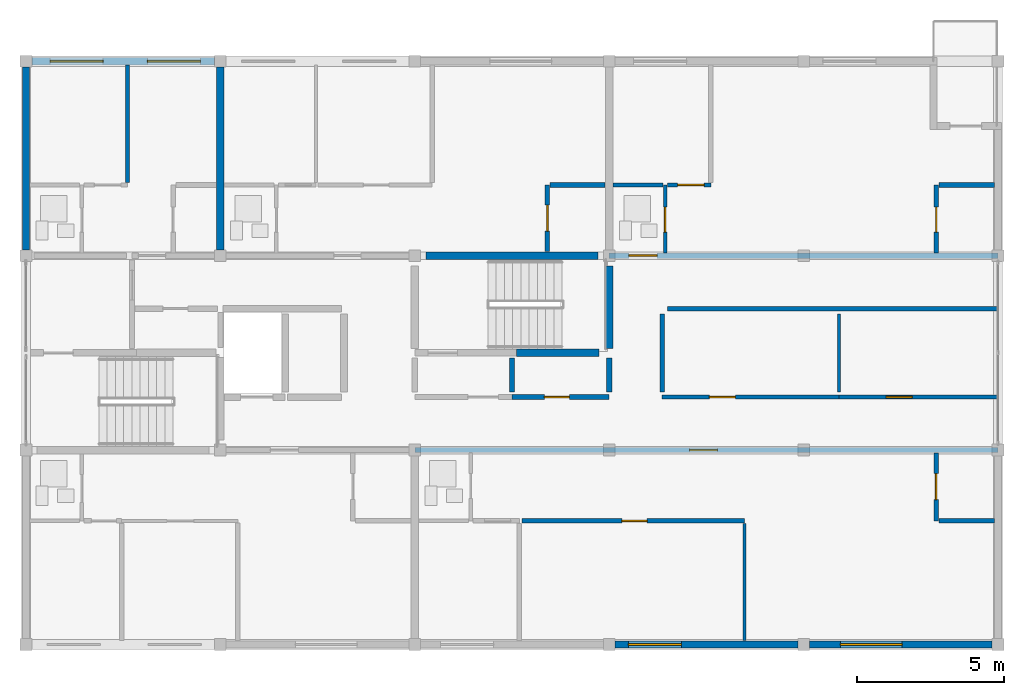
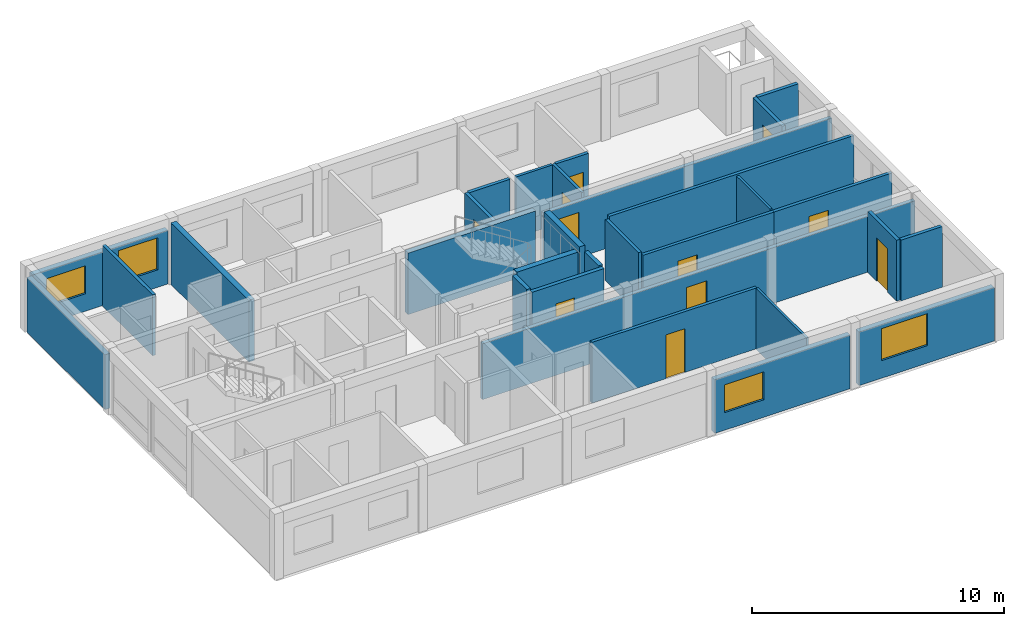
# One storey, part 9 of 12: 30 walls, 11 doors, 4 windows, 15 openings.
"""IFC4 building model written with IfcOpenShell, lengths in metres."""

from ifc_helpers import new_model, si_unit, direction, frame, frame_2d, origin, place, context, subcontext, project, spatial, rectangle, extrude, material, layer, layer_set, type_object, element, fill, save


model = new_model("IFC4")

# Units and contexts
model_context = context("Model", 3, precision=1e-05, world=origin(), true_north=direction((0.0, 1.0)))
body_context = subcontext(model_context, "Body", "Model", "MODEL_VIEW")
ifc_project = project(units=[si_unit("LENGTHUNIT", "METRE"), si_unit("AREAUNIT", "SQUARE_METRE"), si_unit("VOLUMEUNIT", "CUBIC_METRE"), si_unit("PLANEANGLEUNIT", "RADIAN"), si_unit("MASSUNIT", "GRAM", prefix="KILO")], contexts=[model_context])

# Site, building, storey
site_placement = place(None, origin())
site = spatial("IfcSite", under=ifc_project, at=site_placement, CompositionType="ELEMENT")
building_placement = place(site_placement, origin())
building = spatial("IfcBuilding", under=site, at=building_placement, Name="Kernevlak Ridge Housing Community", CompositionType="ELEMENT")
storey_placement = place(building_placement, frame((0.0, 0.0, 53.199951171875)))
storey = spatial("IfcBuildingStorey", under=building, at=storey_placement, Name="L16", CompositionType="ELEMENT", Elevation=53.199951171875)

# Wall, opening, window
ifc_material_1 = material(Name="Concrete block masonry M10", Category="masonry")
ifc_layer_1 = layer(ifc_material_1, 0.239990234375, Name="Concrete block masonry M10")
ifc_layer_set_1 = layer_set([ifc_layer_1], Name="Concrete block masonry M10")
wall_type_1 = type_object("IfcWallType", Name="EW-06", PredefinedType="STANDARD", material=ifc_layer_set_1)
wall_1_placement = place(storey_placement, frame((35.60009765625, 76.0, 0.0), z_axis=(0.0, 0.0, 1.0), x_axis=(1.0, 0.0, 0.0)))
wall_1 = element("IfcWall", 1, at=wall_1_placement, inside=storey, type_object=wall_type_1, Name="Exterior wall EW-06 L16 256", PredefinedType="STANDARD", context=body_context, shape_type="SweptSolid", body=[
    extrude(rectangle(XDim=6.199951171875, YDim=0.239990234375, at=frame_2d((3.10009765625, 0.0))), origin(), (0.0, 0.0, 1.0), 2.60009765625),
])
opening_1_placement = place(wall_1_placement, frame((0.449951171875, 0.0, 0.85009765625)))
opening_1 = element("IfcOpeningElement", 2, at=opening_1_placement, cuts=wall_1, Name="Opening WT-03", PredefinedType="OPENING", context=body_context, shape_type="SweptSolid", body=[
    extrude(rectangle(XDim=1.800048828125, YDim=1.35009765625, at=frame_2d((0.89990234375, 0.675048828125))), frame((0.0, 0.1298828125, 0.0), z_axis=(0.0, -1.0, 0.0), x_axis=(1.0, 0.0, 0.0)), (0.0, 0.0, 1.0), 0.260009765625),
])
ifc_material_2 = material(Name="Aluminium EN AW-6060 anodised and laminated glass", Category="aluminium")
window_type_1 = type_object("IfcWindowType", Name="WT-03", PartitioningType="SINGLE_PANEL", PredefinedType="WINDOW", material=ifc_material_2)
window_1_placement = place(opening_1_placement, origin())
window_1 = element("IfcWindow", 3, at=window_1_placement, inside=storey, type_object=window_type_1, Name="Window WT-03 L16 204", OverallHeight=1.35009765625, OverallWidth=1.800048828125, PartitioningType="SINGLE_PANEL", PredefinedType="WINDOW", context=body_context, shape_type="SweptSolid", body=[
    extrude(rectangle(XDim=1.800048828125, YDim=1.35009765625, at=frame_2d((0.89990234375, 0.675048828125))), frame((0.0, 0.030029296875, 0.0), z_axis=(0.0, -1.0, 0.0), x_axis=(1.0, 0.0, 0.0)), (0.0, 0.0, 1.0), 0.06005859375),
])
fill(opening_1, window_1)

wall_2_placement = place(storey_placement, frame((42.199951171875, 76.0, 0.0), z_axis=(0.0, 0.0, 1.0), x_axis=(1.0, 0.0, 0.0)))
wall_2 = element("IfcWall", 4, at=wall_2_placement, inside=storey, type_object=wall_type_1, Name="Exterior wall EW-06 L16 257", PredefinedType="STANDARD", context=body_context, shape_type="SweptSolid", body=[
    extrude(rectangle(XDim=6.199951171875, YDim=0.239990234375, at=frame_2d((3.10009765625, 0.0))), origin(), (0.0, 0.0, 1.0), 2.60009765625),
])
opening_2_placement = place(wall_2_placement, frame((1.0439453125, 0.0, 0.85009765625)))
opening_2 = element("IfcOpeningElement", 5, at=opening_2_placement, cuts=wall_2, Name="Opening WT-05", PredefinedType="OPENING", context=body_context, shape_type="SweptSolid", body=[
    extrude(rectangle(XDim=2.10009765625, YDim=1.550048828125, at=frame_2d((1.050048828125, 0.77490234375))), frame((0.0, 0.1298828125, 0.0), z_axis=(0.0, -1.0, 0.0), x_axis=(1.0, 0.0, 0.0)), (0.0, 0.0, 1.0), 0.260009765625),
])
window_type_2 = type_object("IfcWindowType", Name="WT-05", PartitioningType="SINGLE_PANEL", PredefinedType="WINDOW", material=ifc_material_2)
window_2_placement = place(opening_2_placement, origin())
window_2 = element("IfcWindow", 6, at=window_2_placement, inside=storey, type_object=window_type_2, Name="Window WT-05 L16 205", OverallHeight=1.550048828125, OverallWidth=2.10009765625, PartitioningType="SINGLE_PANEL", PredefinedType="WINDOW", context=body_context, shape_type="SweptSolid", body=[
    extrude(rectangle(XDim=2.10009765625, YDim=1.550048828125, at=frame_2d((1.050048828125, 0.77490234375))), frame((0.0, 0.030029296875, 0.0), z_axis=(0.0, -1.0, 0.0), x_axis=(1.0, 0.0, 0.0)), (0.0, 0.0, 1.0), 0.06005859375),
])
fill(opening_2, window_2)

# Wall, openings, windows
wall_3_placement = place(storey_placement, frame((15.800048828125, 95.800048828125, 0.0), z_axis=(0.0, 0.0, 1.0), x_axis=(1.0, 0.0, 0.0)))
wall_3 = element("IfcWall", 7, at=wall_3_placement, inside=storey, type_object=wall_type_1, Name="Exterior wall EW-06 L16 258", PredefinedType="STANDARD", context=body_context, shape_type="SweptSolid", body=[
    extrude(rectangle(XDim=6.199951171875, YDim=0.239990234375, at=frame_2d((3.10009765625, 0.0))), origin(), (0.0, 0.0, 1.0), 2.60009765625),
])
opening_3_placement = place(wall_3_placement, frame((0.625, 0.0, 0.85009765625)))
opening_3 = element("IfcOpeningElement", 8, at=opening_3_placement, cuts=wall_3, Name="Opening WT-03", PredefinedType="OPENING", context=body_context, shape_type="SweptSolid", body=[
    extrude(rectangle(XDim=1.800048828125, YDim=1.35009765625, at=frame_2d((0.89990234375, 0.675048828125))), frame((0.0, 0.1298828125, 0.0), z_axis=(0.0, -1.0, 0.0), x_axis=(1.0, 0.0, 0.0)), (0.0, 0.0, 1.0), 0.260009765625),
])
opening_4_placement = place(wall_3_placement, frame((3.925048828125, 0.0, 0.85009765625)))
opening_4 = element("IfcOpeningElement", 9, at=opening_4_placement, cuts=wall_3, Name="Opening WT-04", PredefinedType="OPENING", context=body_context, shape_type="SweptSolid", body=[
    extrude(rectangle(XDim=1.800048828125, YDim=1.550048828125, at=frame_2d((0.89990234375, 0.77490234375))), frame((0.0, 0.1298828125, 0.0), z_axis=(0.0, -1.0, 0.0), x_axis=(1.0, 0.0, 0.0)), (0.0, 0.0, 1.0), 0.260009765625),
])
window_3_placement = place(opening_3_placement, origin())
window_3 = element("IfcWindow", 10, at=window_3_placement, inside=storey, type_object=window_type_1, Name="Window WT-03 L16 206", OverallHeight=1.35009765625, OverallWidth=1.800048828125, PartitioningType="SINGLE_PANEL", PredefinedType="WINDOW", context=body_context, shape_type="SweptSolid", body=[
    extrude(rectangle(XDim=1.800048828125, YDim=1.35009765625, at=frame_2d((0.89990234375, 0.675048828125))), frame((0.0, 0.030029296875, 0.0), z_axis=(0.0, -1.0, 0.0), x_axis=(1.0, 0.0, 0.0)), (0.0, 0.0, 1.0), 0.06005859375),
])
fill(opening_3, window_3)
window_type_3 = type_object("IfcWindowType", Name="WT-04", PartitioningType="SINGLE_PANEL", PredefinedType="WINDOW", material=ifc_material_2)
window_4_placement = place(opening_4_placement, origin())
window_4 = element("IfcWindow", 11, at=window_4_placement, inside=storey, type_object=window_type_3, Name="Window WT-04 L16 207", OverallHeight=1.550048828125, OverallWidth=1.800048828125, PartitioningType="SINGLE_PANEL", PredefinedType="WINDOW", context=body_context, shape_type="SweptSolid", body=[
    extrude(rectangle(XDim=1.800048828125, YDim=1.550048828125, at=frame_2d((0.89990234375, 0.77490234375))), frame((0.0, 0.030029296875, 0.0), z_axis=(0.0, -1.0, 0.0), x_axis=(1.0, 0.0, 0.0)), (0.0, 0.0, 1.0), 0.06005859375),
])
fill(opening_4, window_4)

# Wall
wall_4_placement = place(storey_placement, frame((15.60009765625, 89.39990234375, 0.0), z_axis=(0.0, 0.0, 1.0), x_axis=(0.0, 1.0, 0.0)))
element("IfcWall", 12, at=wall_4_placement, inside=storey, type_object=wall_type_1, Name="Exterior wall EW-06 L16 266", PredefinedType="STANDARD", context=body_context, shape_type="SweptSolid", body=[
    extrude(rectangle(XDim=6.2001953125, YDim=0.239990234375, at=frame_2d((3.10009765625, 0.0))), origin(), (0.0, 0.0, 1.0), 2.650146484375),
])

# Wall, opening, door
ifc_layer_2 = layer(ifc_material_1, 0.175048828125, Name="Concrete block masonry M10")
ifc_layer_set_2 = layer_set([ifc_layer_2], Name="Concrete block masonry M10")
wall_type_2 = type_object("IfcWallType", Name="PW-02", PredefinedType="PARTITIONING", material=ifc_layer_set_2)
wall_5_placement = place(storey_placement, frame((32.10009765625, 84.39990234375, 0.0), z_axis=(0.0, 0.0, 1.0), x_axis=(1.0, 0.0, 0.0)))
wall_5 = element("IfcWall", 13, at=wall_5_placement, inside=storey, type_object=wall_type_2, Name="Interior wall PW-02 WAL-INT-L16-1020", PredefinedType="PARTITIONING", context=body_context, shape_type="SweptSolid", body=[
    extrude(rectangle(XDim=3.2998046875, YDim=0.175048828125, at=frame_2d((1.64990234375, 0.0))), origin(), (0.0, 0.0, 1.0), 2.945068359375),
])
opening_5_placement = place(wall_5_placement, frame((1.10009765625, 0.0, 0.0)))
opening_5 = element("IfcOpeningElement", 14, at=opening_5_placement, cuts=wall_5, Name="Opening D516", PredefinedType="OPENING", context=body_context, shape_type="SweptSolid", body=[
    extrude(rectangle(XDim=0.85009765625, YDim=2.0, at=frame_2d((0.425048828125, 1.0))), frame((0.0, 0.097412109375, 0.0), z_axis=(0.0, -1.0, 0.0), x_axis=(1.0, 0.0, 0.0)), (0.0, 0.0, 1.0), 0.195068359375),
])
ifc_material_3 = material(Name="Fire-rated sheet steel leaf", Category="steel")
door_type_1 = type_object("IfcDoorType", Name="DT-07", OperationType="NOTDEFINED", PredefinedType="DOOR", material=ifc_material_3)
door_1_placement = place(opening_5_placement, origin())
door_1 = element("IfcDoor", 15, at=door_1_placement, inside=storey, type_object=door_type_1, Name="Block A Cleaner store door D516", OperationType="SINGLE_SWING_RIGHT", OverallHeight=2.0, OverallWidth=0.85009765625, PredefinedType="DOOR", context=body_context, shape_type="SweptSolid", body=[
    extrude(rectangle(XDim=0.85009765625, YDim=2.0, at=frame_2d((0.425048828125, 1.0))), frame((0.0, 0.02490234375, 0.0), z_axis=(0.0, -1.0, 0.0), x_axis=(1.0, 0.0, 0.0)), (0.0, 0.0, 1.0), 0.050048828125),
])
fill(opening_5, door_1)

# Walls
for number, where, z_axis, x_axis, name in (
    (16, (32.10009765625, 84.580078125, 0.0), (0.0, 0.0, 1.0), (0.0, 1.0, 0.0), "Interior wall PW-02 WAL-INT-L16-1022"),
    (17, (35.39990234375, 84.580078125, 0.0), (0.0, 0.0, 1.0), (0.0, 1.0, 0.0), "Interior wall PW-02 WAL-INT-L16-1023"),
):
    element("IfcWall", number, at=place(storey_placement, frame(where, z_axis=z_axis, x_axis=x_axis)), inside=storey, type_object=wall_type_2, Name=name, PredefinedType="PARTITIONING", context=body_context, shape_type="SweptSolid", body=[
        extrude(rectangle(XDim=1.139892578125, YDim=0.175048828125, at=frame_2d((0.56982421875, 0.0))), origin(), (0.0, 0.0, 1.0), 2.945068359375),
    ])

# Wall, opening, door
wall_6_placement = place(storey_placement, frame((28.800048828125, 82.60009765625, 0.0), z_axis=(0.0, 0.0, 1.0), x_axis=(1.0, 0.0, 0.0)))
wall_6 = element("IfcWall", 18, at=wall_6_placement, inside=storey, type_object=wall_type_2, Name="Interior wall PW-02 WAL-INT-L16-1038", PredefinedType="PARTITIONING", context=body_context, shape_type="SweptSolid", body=[
    extrude(rectangle(XDim=19.800048828125, YDim=0.175048828125, at=frame_2d((9.89990234375, 0.0))), origin(), (0.0, 0.0, 1.0), 2.699951171875),
])
opening_6_placement = place(wall_6_placement, frame((9.324951171875, 0.0, 0.0)))
opening_6 = element("IfcOpeningElement", 19, at=opening_6_placement, cuts=wall_6, Name="Opening D524", PredefinedType="OPENING", context=body_context, shape_type="SweptSolid", body=[
    extrude(rectangle(XDim=0.949951171875, YDim=2.159912109375, at=frame_2d((0.47509765625, 1.080078125))), frame((0.0, 0.097412109375, 0.0), z_axis=(0.0, -1.0, 0.0), x_axis=(1.0, 0.0, 0.0)), (0.0, 0.0, 1.0), 0.195068359375),
])
ifc_material_4 = material(Name="Hardwood timber solid-core fire leaf", Category="wood")
door_type_2 = type_object("IfcDoorType", Name="DT-02", OperationType="NOTDEFINED", PredefinedType="DOOR", material=ifc_material_4)
door_2_placement = place(opening_6_placement, origin())
door_2 = element("IfcDoor", 20, at=door_2_placement, inside=storey, type_object=door_type_2, Name="Flat A1612 entrance fire door D524", OperationType="SINGLE_SWING_RIGHT", OverallHeight=2.159912109375, OverallWidth=0.949951171875, PredefinedType="DOOR", context=body_context, shape_type="SweptSolid", body=[
    extrude(rectangle(XDim=0.949951171875, YDim=2.159912109375, at=frame_2d((0.47509765625, 1.080078125))), frame((0.0, 0.02490234375, 0.0), z_axis=(0.0, -1.0, 0.0), x_axis=(1.0, 0.0, 0.0)), (0.0, 0.0, 1.0), 0.050048828125),
])
fill(opening_6, door_2)

wall_7_placement = place(storey_placement, frame((35.39990234375, 89.199951171875, 0.0), z_axis=(0.0, 0.0, 1.0), x_axis=(1.0, 0.0, 0.0)))
wall_7 = element("IfcWall", 21, at=wall_7_placement, inside=storey, type_object=wall_type_2, Name="Interior wall PW-02 WAL-INT-L16-1064", PredefinedType="PARTITIONING", context=body_context, shape_type="SweptSolid", body=[
    extrude(rectangle(XDim=13.2001953125, YDim=0.175048828125, at=frame_2d((6.60009765625, 0.0))), origin(), (0.0, 0.0, 1.0), 2.699951171875),
])
opening_7_placement = place(wall_7_placement, frame((0.669921875, 0.0, 0.0)))
opening_7 = element("IfcOpeningElement", 22, at=opening_7_placement, cuts=wall_7, Name="Opening D538", PredefinedType="OPENING", context=body_context, shape_type="SweptSolid", body=[
    extrude(rectangle(XDim=0.9599609375, YDim=2.179931640625, at=frame_2d((0.47998046875, 1.08984375))), frame((0.0, 0.097412109375, 0.0), z_axis=(0.0, -1.0, 0.0), x_axis=(1.0, 0.0, 0.0)), (0.0, 0.0, 1.0), 0.195068359375),
])
door_type_3 = type_object("IfcDoorType", Name="DT-29", OperationType="NOTDEFINED", PredefinedType="DOOR", material=ifc_material_4)
door_3_placement = place(opening_7_placement, origin())
door_3 = element("IfcDoor", 23, at=door_3_placement, inside=storey, type_object=door_type_3, Name="Flat A1623 entrance fire door D538", OperationType="SINGLE_SWING_RIGHT", OverallHeight=2.179931640625, OverallWidth=0.9599609375, PredefinedType="DOOR", context=body_context, shape_type="SweptSolid", body=[
    extrude(rectangle(XDim=0.9599609375, YDim=2.179931640625, at=frame_2d((0.47998046875, 1.08984375))), frame((0.0, 0.02490234375, 0.0), z_axis=(0.0, -1.0, 0.0), x_axis=(1.0, 0.0, 0.0)), (0.0, 0.0, 1.0), 0.050048828125),
])
fill(opening_7, door_3)

ifc_layer_3 = layer(ifc_material_1, 0.14501953125, Name="Concrete block masonry M10")
ifc_layer_set_3 = layer_set([ifc_layer_3], Name="Concrete block masonry M10")
wall_type_3 = type_object("IfcWallType", Name="PW-03", PredefinedType="PARTITIONING", material=ifc_layer_set_3)
wall_8_placement = place(storey_placement, frame((37.199951171875, 84.39990234375, 0.0), z_axis=(0.0, 0.0, 1.0), x_axis=(1.0, 0.0, 0.0)))
wall_8 = element("IfcWall", 24, at=wall_8_placement, inside=storey, type_object=wall_type_3, Name="Interior wall PW-03 WAL-INT-L16-1024", PredefinedType="PARTITIONING", context=body_context, shape_type="SweptSolid", body=[
    extrude(rectangle(XDim=6.0, YDim=0.14501953125, at=frame_2d((3.0, 0.0))), origin(), (0.0, 0.0, 1.0), 2.945068359375),
])
opening_8_placement = place(wall_8_placement, frame((1.60009765625, 0.0, 0.0)))
opening_8 = element("IfcOpeningElement", 25, at=opening_8_placement, cuts=wall_8, Name="Opening D517", PredefinedType="OPENING", context=body_context, shape_type="SweptSolid", body=[
    extrude(rectangle(XDim=0.8798828125, YDim=2.10009765625, at=frame_2d((0.43994140625, 1.050048828125))), frame((0.0, 0.08251953125, 0.0), z_axis=(0.0, -1.0, 0.0), x_axis=(1.0, 0.0, 0.0)), (0.0, 0.0, 1.0), 0.1650390625),
])
ifc_material_5 = material(Name="Hardwood timber leaf", Category="wood")
door_type_4 = type_object("IfcDoorType", Name="DT-25", OperationType="NOTDEFINED", PredefinedType="DOOR", material=ifc_material_5)
door_4_placement = place(opening_8_placement, origin())
door_4 = element("IfcDoor", 26, at=door_4_placement, inside=storey, type_object=door_type_4, Name="Block A Laundry room door D517", OperationType="SINGLE_SWING_LEFT", OverallHeight=2.10009765625, OverallWidth=0.8798828125, PredefinedType="DOOR", context=body_context, shape_type="SweptSolid", body=[
    extrude(rectangle(XDim=0.8798828125, YDim=2.10009765625, at=frame_2d((0.43994140625, 1.050048828125))), frame((0.0, 0.02490234375, 0.0), z_axis=(0.0, -1.0, 0.0), x_axis=(1.0, 0.0, 0.0)), (0.0, 0.0, 1.0), 0.050048828125),
])
fill(opening_8, door_4)

wall_9_placement = place(storey_placement, frame((43.199951171875, 84.39990234375, 0.0), z_axis=(0.0, 0.0, 1.0), x_axis=(1.0, 0.0, 0.0)))
wall_9 = element("IfcWall", 27, at=wall_9_placement, inside=storey, type_object=wall_type_3, Name="Interior wall PW-03 WAL-INT-L16-1025", PredefinedType="PARTITIONING", context=body_context, shape_type="SweptSolid", body=[
    extrude(rectangle(XDim=5.400146484375, YDim=0.14501953125, at=frame_2d((2.7001953125, 0.0))), origin(), (0.0, 0.0, 1.0), 2.945068359375),
])
opening_9_placement = place(wall_9_placement, frame((1.60009765625, 0.0, 0.0)))
opening_9 = element("IfcOpeningElement", 28, at=opening_9_placement, cuts=wall_9, Name="Opening D518", PredefinedType="OPENING", context=body_context, shape_type="SweptSolid", body=[
    extrude(rectangle(XDim=0.8798828125, YDim=2.159912109375, at=frame_2d((0.43994140625, 1.080078125))), frame((0.0, 0.08251953125, 0.0), z_axis=(0.0, -1.0, 0.0), x_axis=(1.0, 0.0, 0.0)), (0.0, 0.0, 1.0), 0.1650390625),
])
door_type_5 = type_object("IfcDoorType", Name="DT-26", OperationType="NOTDEFINED", PredefinedType="DOOR", material=ifc_material_5)
door_5_placement = place(opening_9_placement, origin())
door_5 = element("IfcDoor", 29, at=door_5_placement, inside=storey, type_object=door_type_5, Name="Block A Study room door D518", OperationType="SINGLE_SWING_RIGHT", OverallHeight=2.159912109375, OverallWidth=0.8798828125, PredefinedType="DOOR", context=body_context, shape_type="SweptSolid", body=[
    extrude(rectangle(XDim=0.8798828125, YDim=2.159912109375, at=frame_2d((0.43994140625, 1.080078125))), frame((0.0, 0.02490234375, 0.0), z_axis=(0.0, -1.0, 0.0), x_axis=(1.0, 0.0, 0.0)), (0.0, 0.0, 1.0), 0.050048828125),
])
fill(opening_9, door_5)

# Walls
wall_10_placement = place(storey_placement, frame((37.3798828125, 87.39990234375, 0.0), z_axis=(0.0, 0.0, 1.0), x_axis=(1.0, 0.0, 0.0)))
element("IfcWall", 30, at=wall_10_placement, inside=storey, type_object=wall_type_3, Name="Interior wall PW-03 WAL-INT-L16-1027", PredefinedType="PARTITIONING", context=body_context, shape_type="SweptSolid", body=[
    extrude(rectangle(XDim=11.2001953125, YDim=0.14501953125, at=frame_2d((5.60009765625, 0.0))), origin(), (0.0, 0.0, 1.0), 2.945068359375),
])
wall_11_placement = place(storey_placement, frame((37.199951171875, 84.580078125, 0.0), z_axis=(0.0, 0.0, 1.0), x_axis=(0.0, 1.0, 0.0)))
element("IfcWall", 31, at=wall_11_placement, inside=storey, type_object=wall_type_3, Name="Interior wall PW-03 WAL-INT-L16-1028", PredefinedType="PARTITIONING", context=body_context, shape_type="SweptSolid", body=[
    extrude(rectangle(XDim=2.639892578125, YDim=0.14501953125, at=frame_2d((1.31982421875, 0.0))), origin(), (0.0, 0.0, 1.0), 2.945068359375),
])

# Wall, opening, door
wall_12_placement = place(storey_placement, frame((32.4326171875, 80.199951171875, 0.0), z_axis=(0.0, 0.0, 1.0), x_axis=(1.0, 0.0, 0.0)))
wall_12 = element("IfcWall", 32, at=wall_12_placement, inside=storey, type_object=wall_type_3, Name="Interior wall PW-03 WAL-INT-L16-1045", PredefinedType="PARTITIONING", context=body_context, shape_type="SweptSolid", body=[
    extrude(rectangle(XDim=7.555419921875, YDim=0.14501953125, at=frame_2d((3.77783203125, 0.0))), origin(), (0.0, 0.0, 1.0), 2.945068359375),
])
opening_10_placement = place(wall_12_placement, frame((3.39404296875, 0.0, 0.0)))
opening_10 = element("IfcOpeningElement", 33, at=opening_10_placement, cuts=wall_12, Name="Opening D528", PredefinedType="OPENING", context=body_context, shape_type="SweptSolid", body=[
    extrude(rectangle(XDim=0.860107421875, YDim=2.1201171875, at=frame_2d((0.43017578125, 1.06005859375))), frame((0.0, 0.08251953125, 0.0), z_axis=(0.0, -1.0, 0.0), x_axis=(1.0, 0.0, 0.0)), (0.0, 0.0, 1.0), 0.1650390625),
])
door_type_6 = type_object("IfcDoorType", Name="DT-28", OperationType="NOTDEFINED", PredefinedType="DOOR", material=ifc_material_5)
door_6_placement = place(opening_10_placement, origin())
door_6 = element("IfcDoor", 34, at=door_6_placement, inside=storey, type_object=door_type_6, Name="Flat A1612 bedroom door D528", OperationType="SINGLE_SWING_RIGHT", OverallHeight=2.1201171875, OverallWidth=0.860107421875, PredefinedType="DOOR", context=body_context, shape_type="SweptSolid", body=[
    extrude(rectangle(XDim=0.860107421875, YDim=2.1201171875, at=frame_2d((0.43017578125, 1.06005859375))), frame((0.0, 0.02490234375, 0.0), z_axis=(0.0, -1.0, 0.0), x_axis=(1.0, 0.0, 0.0)), (0.0, 0.0, 1.0), 0.050048828125),
])
fill(opening_10, door_6)

# Wall
wall_13_placement = place(storey_placement, frame((19.050048828125, 91.6826171875, 0.0), z_axis=(0.0, 0.0, 1.0), x_axis=(0.0, 1.0, 0.0)))
element("IfcWall", 35, at=wall_13_placement, inside=storey, type_object=wall_type_3, Name="Interior wall PW-03 WAL-INT-L16-1054", PredefinedType="PARTITIONING", context=body_context, shape_type="SweptSolid", body=[
    extrude(rectangle(XDim=3.9873046875, YDim=0.14501953125, at=frame_2d((1.99365234375, 0.0))), origin(), (0.0, 0.0, 1.0), 2.945068359375),
])

# Wall, opening, door
wall_14_placement = place(storey_placement, frame((37.37255859375, 91.60009765625, 0.0), z_axis=(0.0, 0.0, 1.0), x_axis=(1.0, 0.0, 0.0)))
wall_14 = element("IfcWall", 36, at=wall_14_placement, inside=storey, type_object=wall_type_3, Name="Interior wall PW-03 WAL-INT-L16-1069", PredefinedType="PARTITIONING", context=body_context, shape_type="SweptSolid", body=[
    extrude(rectangle(XDim=1.4775390625, YDim=0.14501953125, at=frame_2d((0.73876953125, 0.0))), origin(), (0.0, 0.0, 1.0), 2.945068359375),
])
opening_11_placement = place(wall_14_placement, frame((0.35009765625, 0.0, 0.0)))
opening_11 = element("IfcOpeningElement", 37, at=opening_11_placement, cuts=wall_14, Name="Opening D541", PredefinedType="OPENING", context=body_context, shape_type="SweptSolid", body=[
    extrude(rectangle(XDim=0.89990234375, YDim=2.10009765625, at=frame_2d((0.449951171875, 1.050048828125))), frame((0.0, 0.08251953125, 0.0), z_axis=(0.0, -1.0, 0.0), x_axis=(1.0, 0.0, 0.0)), (0.0, 0.0, 1.0), 0.1650390625),
])
door_type_7 = type_object("IfcDoorType", Name="DT-21", OperationType="NOTDEFINED", PredefinedType="DOOR", material=ifc_material_5)
door_7_placement = place(opening_11_placement, origin())
door_7 = element("IfcDoor", 38, at=door_7_placement, inside=storey, type_object=door_type_7, Name="Flat A1623 bedroom door D541", OperationType="SINGLE_SWING_LEFT", OverallHeight=2.10009765625, OverallWidth=0.89990234375, PredefinedType="DOOR", context=body_context, shape_type="SweptSolid", body=[
    extrude(rectangle(XDim=0.89990234375, YDim=2.10009765625, at=frame_2d((0.449951171875, 1.050048828125))), frame((0.0, 0.02490234375, 0.0), z_axis=(0.0, -1.0, 0.0), x_axis=(1.0, 0.0, 0.0)), (0.0, 0.0, 1.0), 0.050048828125),
])
fill(opening_11, door_7)

ifc_material_6 = material(Name="Gypsum plasterboard EN 520", Category="gypsum")
ifc_layer_4 = layer(ifc_material_6, 0.125, Name="Gypsum plasterboard EN 520")
ifc_layer_set_4 = layer_set([ifc_layer_4], Name="Gypsum plasterboard EN 520")
wall_type_4 = type_object("IfcWallType", Name="PW-04", PredefinedType="PARTITIONING", material=ifc_layer_set_4)
wall_15_placement = place(storey_placement, frame((37.300048828125, 89.297607421875, 0.0), z_axis=(0.0, 0.0, 1.0), x_axis=(0.0, 1.0, 0.0)))
wall_15 = element("IfcWall", 39, at=wall_15_placement, inside=storey, type_object=wall_type_4, Name="Interior wall PW-04 WAL-INT-L16-1065", PredefinedType="PARTITIONING", context=body_context, shape_type="SweptSolid", body=[
    extrude(rectangle(XDim=2.302490234375, YDim=0.125, at=frame_2d((1.1513671875, 0.0))), origin(), (0.0, 0.0, 1.0), 2.945068359375),
])
opening_12_placement = place(wall_15_placement, frame((0.699951171875, 0.0, 0.0)))
opening_12 = element("IfcOpeningElement", 40, at=opening_12_placement, cuts=wall_15, Name="Opening D539", PredefinedType="OPENING", context=body_context, shape_type="SweptSolid", body=[
    extrude(rectangle(XDim=0.85009765625, YDim=2.0400390625, at=frame_2d((0.425048828125, 1.02001953125))), frame((0.0, 0.072509765625, 0.0), z_axis=(0.0, -1.0, 0.0), x_axis=(1.0, 0.0, 0.0)), (0.0, 0.0, 1.0), 0.14501953125),
])
ifc_material_7 = material(Name="Hardwood timber moisture-resistant leaf", Category="wood")
door_type_8 = type_object("IfcDoorType", Name="DT-04", OperationType="NOTDEFINED", PredefinedType="DOOR", material=ifc_material_7)
door_8_placement = place(opening_12_placement, origin())
door_8 = element("IfcDoor", 41, at=door_8_placement, inside=storey, type_object=door_type_8, Name="Flat A1623 bathroom door D539", OperationType="SINGLE_SWING_LEFT", OverallHeight=2.0400390625, OverallWidth=0.85009765625, PredefinedType="DOOR", context=body_context, shape_type="SweptSolid", body=[
    extrude(rectangle(XDim=0.85009765625, YDim=2.0400390625, at=frame_2d((0.425048828125, 1.02001953125))), frame((0.0, 0.02490234375, 0.0), z_axis=(0.0, -1.0, 0.0), x_axis=(1.0, 0.0, 0.0)), (0.0, 0.0, 1.0), 0.050048828125),
])
fill(opening_12, door_8)

# Wall
wall_16_placement = place(storey_placement, frame((35.534912109375, 91.60009765625, 0.0), z_axis=(0.0, 0.0, 1.0), x_axis=(1.0, 0.0, 0.0)))
element("IfcWall", 42, at=wall_16_placement, inside=storey, type_object=wall_type_4, Name="Interior wall PW-04 WAL-INT-L16-1066", PredefinedType="PARTITIONING", context=body_context, shape_type="SweptSolid", body=[
    extrude(rectangle(XDim=1.68505859375, YDim=0.125, at=frame_2d((0.842529296875, 0.0))), origin(), (0.0, 0.0, 1.0), 2.945068359375),
])

# Wall, opening, door
ifc_layer_5 = layer(ifc_material_6, 0.155029296875, Name="Gypsum plasterboard EN 520")
ifc_layer_set_5 = layer_set([ifc_layer_5], Name="Gypsum plasterboard EN 520")
wall_type_5 = type_object("IfcWallType", Name="PW-05", PredefinedType="PARTITIONING", material=ifc_layer_set_5)
wall_17_placement = place(storey_placement, frame((46.5, 82.50244140625, 0.0), z_axis=(0.0, 0.0, 1.0), x_axis=(0.0, -1.0, 0.0)))
wall_17 = element("IfcWall", 43, at=wall_17_placement, inside=storey, type_object=wall_type_5, Name="Interior wall PW-05 WAL-INT-L16-1041", PredefinedType="PARTITIONING", context=body_context, shape_type="SweptSolid", body=[
    extrude(rectangle(XDim=2.302490234375, YDim=0.155029296875, at=frame_2d((1.1513671875, 0.0))), origin(), (0.0, 0.0, 1.0), 2.945068359375),
])
opening_13_placement = place(wall_17_placement, frame((0.699951171875, 0.0, 0.0)))
opening_13 = element("IfcOpeningElement", 44, at=opening_13_placement, cuts=wall_17, Name="Opening D526", PredefinedType="OPENING", context=body_context, shape_type="SweptSolid", body=[
    extrude(rectangle(XDim=0.8798828125, YDim=2.10009765625, at=frame_2d((0.43994140625, 1.050048828125))), frame((0.0, 0.08740234375, 0.0), z_axis=(0.0, -1.0, 0.0), x_axis=(1.0, 0.0, 0.0)), (0.0, 0.0, 1.0), 0.175048828125),
])
door_9_placement = place(opening_13_placement, origin())
door_9 = element("IfcDoor", 45, at=door_9_placement, inside=storey, type_object=door_type_4, Name="Flat A1612 kitchen door D526", OperationType="SINGLE_SWING_RIGHT", OverallHeight=2.10009765625, OverallWidth=0.8798828125, PredefinedType="DOOR", context=body_context, shape_type="SweptSolid", body=[
    extrude(rectangle(XDim=0.8798828125, YDim=2.10009765625, at=frame_2d((0.43994140625, 1.050048828125))), frame((0.0, 0.02490234375, 0.0), z_axis=(0.0, -1.0, 0.0), x_axis=(1.0, 0.0, 0.0)), (0.0, 0.0, 1.0), 0.050048828125),
])
fill(opening_13, door_9)

# Wall
wall_18_placement = place(storey_placement, frame((46.58740234375, 80.199951171875, 0.0), z_axis=(0.0, 0.0, 1.0), x_axis=(1.0, 0.0, 0.0)))
element("IfcWall", 46, at=wall_18_placement, inside=storey, type_object=wall_type_5, Name="Interior wall PW-05 WAL-INT-L16-1042", PredefinedType="PARTITIONING", context=body_context, shape_type="SweptSolid", body=[
    extrude(rectangle(XDim=1.882568359375, YDim=0.155029296875, at=frame_2d((0.94140625, 0.0))), origin(), (0.0, 0.0, 1.0), 2.945068359375),
])

# Wall, opening, door
wall_19_placement = place(storey_placement, frame((33.300048828125, 89.3349609375, 0.0), z_axis=(0.0, 0.0, 1.0), x_axis=(0.0, 1.0, 0.0)))
wall_19 = element("IfcWall", 47, at=wall_19_placement, inside=storey, type_object=wall_type_5, Name="Interior wall PW-05 WAL-INT-L16-1058", PredefinedType="PARTITIONING", context=body_context, shape_type="SweptSolid", body=[
    extrude(rectangle(XDim=2.26513671875, YDim=0.155029296875, at=frame_2d((1.132568359375, 0.0))), origin(), (0.0, 0.0, 1.0), 2.945068359375),
])
opening_14_placement = place(wall_19_placement, frame((0.699951171875, 0.0, 0.0)))
opening_14 = element("IfcOpeningElement", 48, at=opening_14_placement, cuts=wall_19, Name="Opening D535", PredefinedType="OPENING", context=body_context, shape_type="SweptSolid", body=[
    extrude(rectangle(XDim=0.8798828125, YDim=2.10009765625, at=frame_2d((0.43994140625, 1.050048828125))), frame((0.0, 0.08740234375, 0.0), z_axis=(0.0, -1.0, 0.0), x_axis=(1.0, 0.0, 0.0)), (0.0, 0.0, 1.0), 0.175048828125),
])
door_10_placement = place(opening_14_placement, origin())
door_10 = element("IfcDoor", 49, at=door_10_placement, inside=storey, type_object=door_type_4, Name="Flat A1622 kitchen door D535", OperationType="SINGLE_SWING_LEFT", OverallHeight=2.10009765625, OverallWidth=0.8798828125, PredefinedType="DOOR", context=body_context, shape_type="SweptSolid", body=[
    extrude(rectangle(XDim=0.8798828125, YDim=2.10009765625, at=frame_2d((0.43994140625, 1.050048828125))), frame((0.0, 0.02490234375, 0.0), z_axis=(0.0, -1.0, 0.0), x_axis=(1.0, 0.0, 0.0)), (0.0, 0.0, 1.0), 0.050048828125),
])
fill(opening_14, door_10)

# Wall
wall_20_placement = place(storey_placement, frame((33.387451171875, 91.60009765625, 0.0), z_axis=(0.0, 0.0, 1.0), x_axis=(1.0, 0.0, 0.0)))
element("IfcWall", 50, at=wall_20_placement, inside=storey, type_object=wall_type_5, Name="Interior wall PW-05 WAL-INT-L16-1059", PredefinedType="PARTITIONING", context=body_context, shape_type="SweptSolid", body=[
    extrude(rectangle(XDim=1.87744140625, YDim=0.155029296875, at=frame_2d((0.938720703125, 0.0))), origin(), (0.0, 0.0, 1.0), 2.945068359375),
])

# Wall, opening, door
wall_21_placement = place(storey_placement, frame((46.5, 89.297607421875, 0.0), z_axis=(0.0, 0.0, 1.0), x_axis=(0.0, 1.0, 0.0)))
wall_21 = element("IfcWall", 51, at=wall_21_placement, inside=storey, type_object=wall_type_5, Name="Interior wall PW-05 WAL-INT-L16-1067", PredefinedType="PARTITIONING", context=body_context, shape_type="SweptSolid", body=[
    extrude(rectangle(XDim=2.302490234375, YDim=0.155029296875, at=frame_2d((1.1513671875, 0.0))), origin(), (0.0, 0.0, 1.0), 2.945068359375),
])
opening_15_placement = place(wall_21_placement, frame((0.699951171875, 0.0, 0.0)))
opening_15 = element("IfcOpeningElement", 52, at=opening_15_placement, cuts=wall_21, Name="Opening D540", PredefinedType="OPENING", context=body_context, shape_type="SweptSolid", body=[
    extrude(rectangle(XDim=0.85009765625, YDim=2.10009765625, at=frame_2d((0.425048828125, 1.050048828125))), frame((0.0, 0.08740234375, 0.0), z_axis=(0.0, -1.0, 0.0), x_axis=(1.0, 0.0, 0.0)), (0.0, 0.0, 1.0), 0.175048828125),
])
door_type_9 = type_object("IfcDoorType", Name="DT-03", OperationType="NOTDEFINED", PredefinedType="DOOR", material=ifc_material_5)
door_11_placement = place(opening_15_placement, origin())
door_11 = element("IfcDoor", 53, at=door_11_placement, inside=storey, type_object=door_type_9, Name="Flat A1623 kitchen door D540", OperationType="SINGLE_SWING_RIGHT", OverallHeight=2.10009765625, OverallWidth=0.85009765625, PredefinedType="DOOR", context=body_context, shape_type="SweptSolid", body=[
    extrude(rectangle(XDim=0.85009765625, YDim=2.10009765625, at=frame_2d((0.425048828125, 1.050048828125))), frame((0.0, 0.02490234375, 0.0), z_axis=(0.0, -1.0, 0.0), x_axis=(1.0, 0.0, 0.0)), (0.0, 0.0, 1.0), 0.050048828125),
])
fill(opening_15, door_11)

# Walls
wall_22_placement = place(storey_placement, frame((46.58740234375, 91.60009765625, 0.0), z_axis=(0.0, 0.0, 1.0), x_axis=(1.0, 0.0, 0.0)))
element("IfcWall", 54, at=wall_22_placement, inside=storey, type_object=wall_type_5, Name="Interior wall PW-05 WAL-INT-L16-1068", PredefinedType="PARTITIONING", context=body_context, shape_type="SweptSolid", body=[
    extrude(rectangle(XDim=1.882568359375, YDim=0.155029296875, at=frame_2d((0.94140625, 0.0))), origin(), (0.0, 0.0, 1.0), 2.945068359375),
])
ifc_layer_6 = layer(ifc_material_6, 0.10498046875, Name="Gypsum plasterboard EN 520")
ifc_layer_set_6 = layer_set([ifc_layer_6], Name="Gypsum plasterboard EN 520")
wall_type_6 = type_object("IfcWallType", Name="PW-06", PredefinedType="PARTITIONING", material=ifc_layer_set_6)
wall_23_placement = place(storey_placement, frame((43.199951171875, 84.580078125, 0.0), z_axis=(0.0, 0.0, 1.0), x_axis=(0.0, 1.0, 0.0)))
element("IfcWall", 55, at=wall_23_placement, inside=storey, type_object=wall_type_6, Name="Interior wall PW-06 WAL-INT-L16-1026", PredefinedType="PARTITIONING", context=body_context, shape_type="SweptSolid", body=[
    extrude(rectangle(XDim=2.639892578125, YDim=0.10498046875, at=frame_2d((1.31982421875, 0.0))), origin(), (0.0, 0.0, 1.0), 2.945068359375),
])
wall_24_placement = place(storey_placement, frame((39.988037109375, 80.117431640625, 0.0), z_axis=(0.0, 0.0, 1.0), x_axis=(0.0, -1.0, 0.0)))
element("IfcWall", 56, at=wall_24_placement, inside=storey, type_object=wall_type_6, Name="Interior wall PW-06 WAL-INT-L16-1046", PredefinedType="PARTITIONING", context=body_context, shape_type="SweptSolid", body=[
    extrude(rectangle(XDim=3.987548828125, YDim=0.10498046875, at=frame_2d((1.99365234375, 0.0))), origin(), (0.0, 0.0, 1.0), 2.945068359375),
])
ifc_material_8 = material(Name="Concrete C40/50", Category="concrete")
ifc_layer_7 = layer(ifc_material_8, 0.25, Name="Concrete C40/50")
ifc_layer_set_7 = layer_set([ifc_layer_7], Name="Concrete C40/50")
wall_type_7 = type_object("IfcWallType", Name="SW-03", PredefinedType="SHEAR", material=ifc_layer_set_7)
wall_25_placement = place(storey_placement, frame((29.179931640625, 89.199951171875, 0.0), z_axis=(0.0, 0.0, 1.0), x_axis=(1.0, 0.0, 0.0)))
element("IfcWall", 57, at=wall_25_placement, inside=storey, type_object=wall_type_7, Name="Shear wall SW-03 Block A L16 174", PredefinedType="SHEAR", context=body_context, shape_type="SweptSolid", body=[
    extrude(rectangle(XDim=5.840087890625, YDim=0.25, at=frame_2d((2.919921875, 0.0))), origin(), (0.0, 0.0, 1.0), 2.97998046875),
])
for number, where, z_axis, x_axis, name in (
    (58, (32.25, 85.89990234375, 0.0), (0.0, 0.0, 1.0), (1.0, 0.0, 0.0), "Shear wall SW-03 Block A L16 175"),
    (59, (35.39990234375, 86.050048828125, 0.0), (0.0, 0.0, 1.0), (0.0, 1.0, 0.0), "Shear wall SW-03 Block A L16 177"),
):
    element("IfcWall", number, at=place(storey_placement, frame(where, z_axis=z_axis, x_axis=x_axis)), inside=storey, type_object=wall_type_7, Name=name, PredefinedType="SHEAR", context=body_context, shape_type="SweptSolid", body=[
        extrude(rectangle(XDim=2.800048828125, YDim=0.25, at=frame_2d((1.39990234375, 0.0))), origin(), (0.0, 0.0, 1.0), 2.97998046875),
    ])
wall_26_placement = place(storey_placement, frame((22.199951171875, 89.39990234375, 0.0), z_axis=(0.0, 0.0, 1.0), x_axis=(0.0, 1.0, 0.0)))
element("IfcWall", 60, at=wall_26_placement, inside=storey, type_object=wall_type_7, Name="Shear wall SW-03 Block A L16 179", PredefinedType="SHEAR", context=body_context, shape_type="SweptSolid", body=[
    extrude(rectangle(XDim=6.2001953125, YDim=0.25, at=frame_2d((3.10009765625, 0.0))), origin(), (0.0, 0.0, 1.0), 2.97998046875),
])

save(model, "model.ifc")
